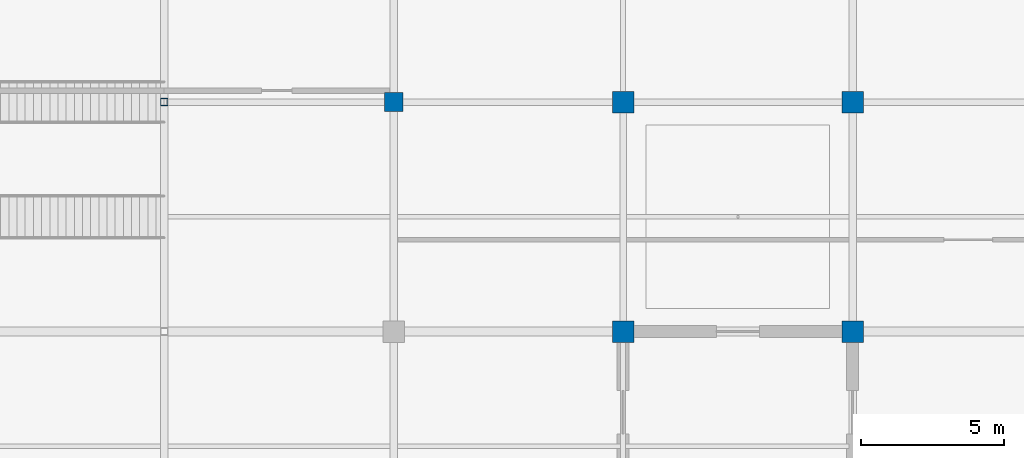
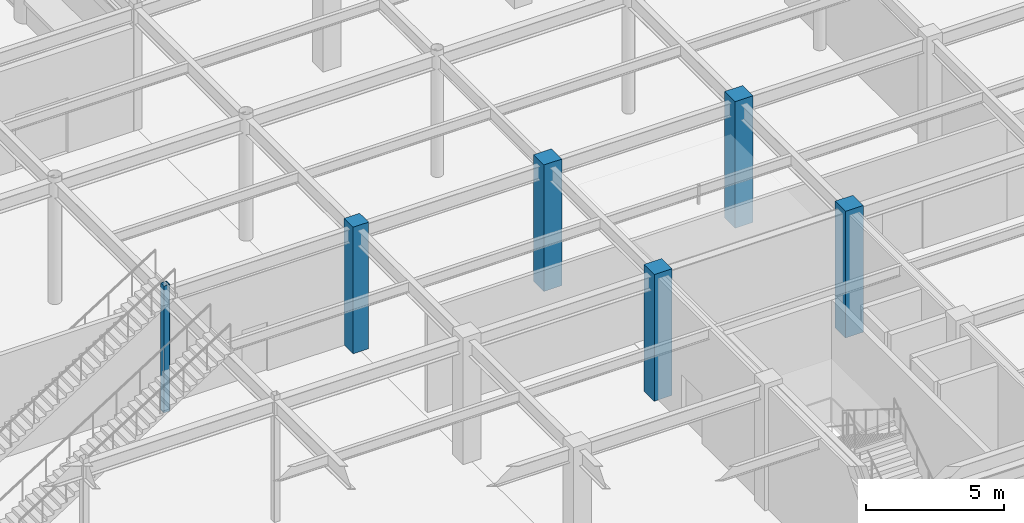
# One storey, part 7 of 128: 6 columns.
"""IFC4 building model written with IfcOpenShell, lengths in metres."""

from ifc_helpers import new_model, si_unit, direction, frame, origin, origin_2d, place, context, subcontext, project, spatial, rectangle, hollow_rectangle, extrude, material, material_profile, profile_set, type_object, element, save


model = new_model("IFC4")

# Units and contexts
model_context = context("Model", 3, precision=1e-05, world=origin(), true_north=direction((0.0, 1.0)))
body_context = subcontext(model_context, "Body", "Model", "MODEL_VIEW")
ifc_project = project(units=[si_unit("LENGTHUNIT", "METRE"), si_unit("AREAUNIT", "SQUARE_METRE"), si_unit("VOLUMEUNIT", "CUBIC_METRE"), si_unit("PLANEANGLEUNIT", "RADIAN"), si_unit("MASSUNIT", "GRAM", prefix="KILO")], contexts=[model_context])

# Site, building, storey
site_placement = place(None, origin())
site = spatial("IfcSite", under=ifc_project, at=site_placement, CompositionType="ELEMENT")
building_placement = place(site_placement, origin())
building = spatial("IfcBuilding", under=site, at=building_placement, Name="Solmirada Galleria", CompositionType="ELEMENT")
storey_placement = place(building_placement, origin())
storey = spatial("IfcBuildingStorey", under=building, at=storey_placement, Name="L00", CompositionType="ELEMENT", Elevation=0.0)

# Columns
ifc_material_1 = material(Name="Steel S355 / ASTM A500 Grade C", Category="steel")
ifc_material_profile_1 = material_profile(ifc_material_1, hollow_rectangle(XDim=0.25390625, YDim=0.25390625, WallThickness=0.0087890625, InnerFilletRadius=0.0087890625, OuterFilletRadius=0.017822265625, at=origin_2d()), Name="HSS10X10X3/8")
ifc_profile_set_1 = profile_set([ifc_material_profile_1], Name="Steel S355 / ASTM A500 Grade C")
column_type_1 = type_object("IfcColumnType", Name="COL-HSS10", PredefinedType="COLUMN", material=ifc_profile_set_1)
column_1_placement = place(storey_placement, frame((72.0, 24.0, 0.0), z_axis=(0.0, 0.0, 1.0), x_axis=(1.0, 0.0, 0.0)))
element("IfcColumn", 1, at=column_1_placement, inside=storey, type_object=column_type_1, Name="Structural column L00-0288", PredefinedType="COLUMN", context=body_context, shape_type="SweptSolid", body=[
    extrude(hollow_rectangle(XDim=0.25390625, YDim=0.25390625, WallThickness=0.0087890625, InnerFilletRadius=0.0087890625, OuterFilletRadius=0.017822265625, at=origin_2d()), origin(), (0.0, 0.0, 1.0), 5.60009765625),
])
ifc_material_2 = material(Name="Concrete C40/50", Category="concrete")
ifc_material_profile_2 = material_profile(ifc_material_2, rectangle(XDim=0.64990234375, YDim=0.64990234375, at=origin_2d()), Name="RC650X650")
ifc_profile_set_2 = profile_set([ifc_material_profile_2], Name="Concrete C40/50")
column_type_2 = type_object("IfcColumnType", Name="COL-RC650", PredefinedType="COLUMN", material=ifc_profile_set_2)
column_2_placement = place(storey_placement, frame((80.0, 24.0, 0.0), z_axis=(0.0, 0.0, 1.0), x_axis=(1.0, 0.0, 0.0)))
element("IfcColumn", 2, at=column_2_placement, inside=storey, type_object=column_type_2, Name="Structural column L00-0370", PredefinedType="COLUMN", context=body_context, shape_type="SweptSolid", body=[
    extrude(rectangle(XDim=0.64990234375, YDim=0.64990234375, at=origin_2d()), origin(), (0.0, 0.0, 1.0), 5.60009765625),
])
ifc_material_profile_3 = material_profile(ifc_material_2, rectangle(XDim=0.75, YDim=0.75, at=origin_2d()), Name="RC750X750")
ifc_profile_set_3 = profile_set([ifc_material_profile_3], Name="Concrete C40/50")
column_type_3 = type_object("IfcColumnType", Name="COL-RC750", PredefinedType="COLUMN", material=ifc_profile_set_3)
for number, where, z_axis, x_axis, name in (
    (3, (88.0, 16.0, 0.0), (0.0, 0.0, 1.0), (1.0, 0.0, 0.0), "Structural column L00-0479"),
    (4, (88.0, 24.0, 0.0), (0.0, 0.0, 1.0), (1.0, 0.0, 0.0), "Structural column L00-0487"),
    (5, (96.0, 16.0, 0.0), (0.0, 0.0, 1.0), (1.0, 0.0, 0.0), "Structural column L00-0601"),
    (6, (96.0, 24.0, 0.0), (0.0, 0.0, 1.0), (1.0, 0.0, 0.0), "Structural column L00-0609"),
):
    element("IfcColumn", number, at=place(storey_placement, frame(where, z_axis=z_axis, x_axis=x_axis)), inside=storey, type_object=column_type_3, Name=name, PredefinedType="COLUMN", context=body_context, shape_type="SweptSolid", body=[
        extrude(rectangle(XDim=0.75, YDim=0.75, at=origin_2d()), origin(), (0.0, 0.0, 1.0), 5.60009765625),
    ])

save(model, "model.ifc")
